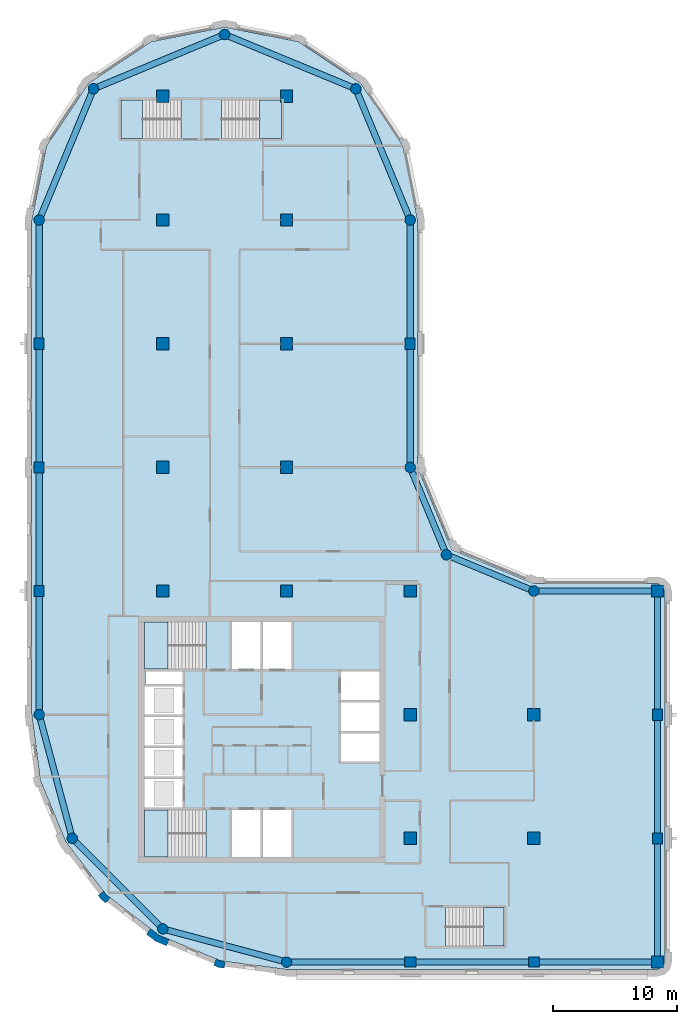
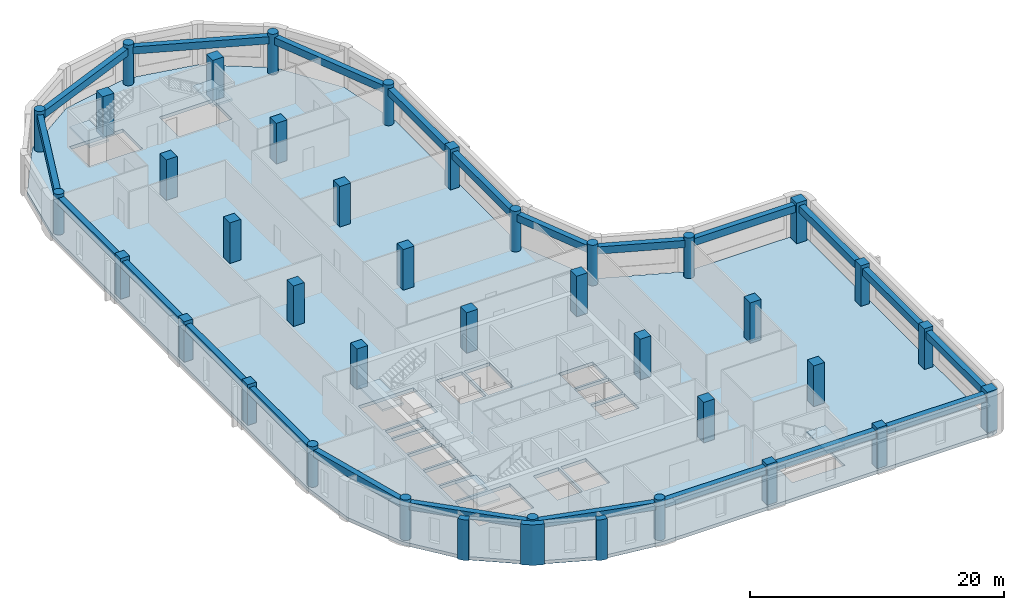
# One storey, part 1 of 9: 37 columns, 22 beams, 6 slabs, 3 walls, 5 elements without a shape of their own.
"""IFC4 building model written with IfcOpenShell, lengths in metres."""

from ifc_helpers import new_model, si_unit, direction, frame, origin, origin_2d, place, context, subcontext, project, spatial, polyline, rectangle, circle, outline, extrude, material, layer, layer_set, material_profile, profile_set, type_object, element, aggregate, save


model = new_model("IFC4")

# Units and contexts
model_context = context("Model", 3, precision=1e-05, world=origin(), true_north=direction((0.0, 1.0)))
body_context = subcontext(model_context, "Body", "Model", "MODEL_VIEW")
ifc_project = project(units=[si_unit("LENGTHUNIT", "METRE"), si_unit("AREAUNIT", "SQUARE_METRE"), si_unit("VOLUMEUNIT", "CUBIC_METRE"), si_unit("PLANEANGLEUNIT", "RADIAN"), si_unit("MASSUNIT", "GRAM", prefix="KILO")], contexts=[model_context])

# Site, building, storey
site_placement = place(None, origin())
site = spatial("IfcSite", under=ifc_project, at=site_placement, CompositionType="ELEMENT")
building_placement = place(site_placement, origin())
building = spatial("IfcBuilding", under=site, at=building_placement, Name="Qaws Garden Tower", CompositionType="ELEMENT")
storey_placement = place(building_placement, frame((0.0, 0.0, 263.10009765625)))
storey = spatial("IfcBuildingStorey", under=building, at=storey_placement, Name="L63", CompositionType="ELEMENT", Elevation=263.10009765625)

# Columns
ifc_material_1 = material(Name="Concrete C60", Category="concrete")
ifc_material_profile_1 = material_profile(ifc_material_1, rectangle(XDim=1.0, YDim=1.0, at=origin_2d()), Name="RC 1000x1000")
ifc_profile_set_1 = profile_set([ifc_material_profile_1], Name="Concrete C60")
column_type_1 = type_object("IfcColumnType", Name="Column RC 1000x1000 C60", PredefinedType="COLUMN", material=ifc_profile_set_1)
for number, where, z_axis, x_axis, name in (
    (1, (10.0, 30.0, 0.0), (0.0, 0.0, 1.0), (1.0, 0.0, 0.0), "Column L63-023"),
    (2, (10.0, 40.0, 0.0), (0.0, 0.0, 1.0), (1.0, 0.0, 0.0), "Column L63-024"),
    (3, (10.0, 50.0, 0.0), (0.0, 0.0, 1.0), (1.0, 0.0, 0.0), "Column L63-025"),
    (4, (10.0, 60.0, 0.0), (0.0, 0.0, 1.0), (1.0, 0.0, 0.0), "Column L63-026"),
    (5, (10.0, 70.0, 0.0), (0.0, 0.0, 1.0), (1.0, 0.0, 0.0), "Column L63-027"),
    (6, (20.0, 30.0, 0.0), (0.0, 0.0, 1.0), (1.0, 0.0, 0.0), "Column L63-028"),
    (7, (20.0, 40.0, 0.0), (0.0, 0.0, 1.0), (1.0, 0.0, 0.0), "Column L63-029"),
    (8, (20.0, 50.0, 0.0), (0.0, 0.0, 1.0), (1.0, 0.0, 0.0), "Column L63-030"),
    (9, (20.0, 60.0, 0.0), (0.0, 0.0, 1.0), (1.0, 0.0, 0.0), "Column L63-031"),
    (10, (20.0, 70.0, 0.0), (0.0, 0.0, 1.0), (1.0, 0.0, 0.0), "Column L63-032"),
    (11, (30.0, 10.0, 0.0), (0.0, 0.0, 1.0), (1.0, 0.0, 0.0), "Column L63-033"),
    (12, (30.0, 20.0, 0.0), (0.0, 0.0, 1.0), (1.0, 0.0, 0.0), "Column L63-034"),
    (13, (30.0, 30.0, 0.0), (0.0, 0.0, 1.0), (1.0, 0.0, 0.0), "Column L63-035"),
    (14, (40.0, 10.0, 0.0), (0.0, 0.0, 1.0), (1.0, 0.0, 0.0), "Column L63-036"),
    (15, (40.0, 20.0, 0.0), (0.0, 0.0, 1.0), (1.0, 0.0, 0.0), "Column L63-037"),
):
    element("IfcColumn", number, at=place(storey_placement, frame(where, z_axis=z_axis, x_axis=x_axis)), inside=storey, type_object=column_type_1, Name=name, PredefinedType="COLUMN", context=body_context, shape_type="SweptSolid", body=[
        extrude(rectangle(XDim=1.0, YDim=1.0, at=origin_2d()), origin(), (0.0, 0.0, 1.0), 3.89990234375),
    ])
ifc_material_2 = material(Name="Concrete C60", Category="concrete")
ifc_material_profile_2 = material_profile(ifc_material_2, rectangle(XDim=0.89990234375, YDim=0.800048828125, at=origin_2d()), Name="RC 900x800")
ifc_profile_set_2 = profile_set([ifc_material_profile_2], Name="Concrete C60")
column_type_2 = type_object("IfcColumnType", Name="Column RC 900x800 C60", PredefinedType="COLUMN", material=ifc_profile_set_2)
for number, where, z_axis, x_axis, name in (
    (16, (30.0, 0.0, 0.0), (0.0, 0.0, 1.0), (1.0, 0.0, 0.0), "Column L63-002"),
    (17, (40.0, 0.0, 0.0), (0.0, 0.0, 1.0), (1.0, 0.0, 0.0), "Column L63-003"),
    (18, (50.0, 10.0, 0.0), (0.0, 0.0, 1.0), (0.0, 1.0, 0.0), "Column L63-005"),
    (19, (50.0, 20.0, 0.0), (0.0, 0.0, 1.0), (0.0, 1.0, 0.0), "Column L63-006"),
    (20, (30.0, 50.0, 0.0), (0.0, 0.0, 1.0), (0.0, 1.0, 0.0), "Column L63-011"),
    (21, (0.0, 50.0, 0.0), (0.0, 0.0, 1.0), (0.0, 1.0, 0.0), "Column L63-017"),
    (22, (0.0, 40.0, 0.0), (0.0, 0.0, 1.0), (0.0, 1.0, 0.0), "Column L63-018"),
    (23, (0.0, 30.0, 0.0), (0.0, 0.0, 1.0), (0.0, 1.0, 0.0), "Column L63-019"),
):
    element("IfcColumn", number, at=place(storey_placement, frame(where, z_axis=z_axis, x_axis=x_axis)), inside=storey, type_object=column_type_2, Name=name, PredefinedType="COLUMN", context=body_context, shape_type="SweptSolid", body=[
        extrude(rectangle(XDim=0.89990234375, YDim=0.800048828125, at=origin_2d()), origin(), (0.0, 0.0, 1.0), 3.89990234375),
    ])
ifc_material_3 = material(Name="Concrete C60", Category="concrete")
ifc_material_profile_3 = material_profile(ifc_material_3, rectangle(XDim=0.949951171875, YDim=0.949951171875, at=origin_2d()), Name="RC 950x950")
ifc_profile_set_3 = profile_set([ifc_material_profile_3], Name="Concrete C60")
column_type_3 = type_object("IfcColumnType", Name="Column RC 950x950 C60", PredefinedType="COLUMN", material=ifc_profile_set_3)
for number, where, z_axis, x_axis, name in (
    (24, (50.0, 0.0, 0.0), (0.0, 0.0, 1.0), (1.0, 0.0, 0.0), "Column L63-004"),
    (25, (50.0, 30.0, 0.0), (0.0, 0.0, 1.0), (1.0, 0.0, 0.0), "Column L63-007"),
):
    element("IfcColumn", number, at=place(storey_placement, frame(where, z_axis=z_axis, x_axis=x_axis)), inside=storey, type_object=column_type_3, Name=name, PredefinedType="COLUMN", context=body_context, shape_type="SweptSolid", body=[
        extrude(rectangle(XDim=0.949951171875, YDim=0.949951171875, at=origin_2d()), origin(), (0.0, 0.0, 1.0), 3.89990234375),
    ])
ifc_material_4 = material(Name="Concrete C60", Category="concrete")
ifc_material_profile_4 = material_profile(ifc_material_4, circle(Radius=0.425048828125, at=origin_2d()), Name="RC D850")
ifc_profile_set_4 = profile_set([ifc_material_profile_4], Name="Concrete C60")
column_type_4 = type_object("IfcColumnType", Name="Column RC D850 C60", PredefinedType="COLUMN", material=ifc_profile_set_4)
for number, where, z_axis, x_axis, name in (
    (26, (20.0, 0.0, 0.0), (0.0, 0.0, 1.0), (1.0, 0.0, 0.0), "Column L63-001"),
    (27, (40.0, 30.0, 0.0), (0.0, 0.0, 1.0), (1.0, 0.0, 0.0), "Column L63-008"),
    (28, (32.928955078125, 32.928955078125, 0.0), (0.0, 0.0, 1.0), (1.0, 0.0, 0.0), "Column L63-009"),
    (29, (30.0, 40.0, 0.0), (0.0, 0.0, 1.0), (1.0, 0.0, 0.0), "Column L63-010"),
    (30, (30.0, 60.0, 0.0), (0.0, 0.0, 1.0), (1.0, 0.0, 0.0), "Column L63-012"),
    (31, (25.606689453125, 70.606689453125, 0.0), (0.0, 0.0, 1.0), (1.0, 0.0, 0.0), "Column L63-013"),
    (32, (15.0, 75.0, 0.0), (0.0, 0.0, 1.0), (1.0, 0.0, 0.0), "Column L63-014"),
    (33, (4.393310546875, 70.606689453125, 0.0), (0.0, 0.0, 1.0), (1.0, 0.0, 0.0), "Column L63-015"),
    (34, (0.0, 60.0, 0.0), (0.0, 0.0, 1.0), (1.0, 0.0, 0.0), "Column L63-016"),
    (35, (0.0, 20.0, 0.0), (0.0, 0.0, 1.0), (1.0, 0.0, 0.0), "Column L63-020"),
    (36, (2.679443359375, 10.0, 0.0), (0.0, 0.0, 1.0), (1.0, 0.0, 0.0), "Column L63-021"),
    (37, (10.0, 2.679443359375, 0.0), (0.0, 0.0, 1.0), (1.0, 0.0, 0.0), "Column L63-022"),
):
    element("IfcColumn", number, at=place(storey_placement, frame(where, z_axis=z_axis, x_axis=x_axis)), inside=storey, type_object=column_type_4, Name=name, PredefinedType="COLUMN", context=body_context, shape_type="SweptSolid", body=[
        extrude(circle(Radius=0.425048828125, at=origin_2d()), origin(), (0.0, 0.0, 1.0), 3.89990234375),
    ])

# Beams
ifc_material_5 = material(Name="Concrete C45", Category="concrete")
ifc_material_profile_5 = material_profile(ifc_material_5, rectangle(XDim=0.5, YDim=0.699951171875, at=origin_2d()), Name="RC 500x700")
ifc_profile_set_5 = profile_set([ifc_material_profile_5], Name="Concrete C45")
beam_type = type_object("IfcBeamType", Name="Spandrel beam RC 500x700 C45", PredefinedType="SPANDREL", material=ifc_profile_set_5)
for number, where, z_axis, x_axis, name in (
    (38, (20.0, 0.0, 3.22998046875), (1.0, 0.0, 0.0), (0.0, 1.0, 0.0), "Spandrel beam L63-001"),
    (39, (30.0, 0.0, 3.22998046875), (1.0, 0.0, 0.0), (0.0, 1.0, 0.0), "Spandrel beam L63-002"),
    (40, (40.0, 0.0, 3.22998046875), (1.0, 0.0, 0.0), (0.0, 1.0, 0.0), "Spandrel beam L63-003"),
    (41, (50.0, 0.0, 3.22998046875), (0.0, 1.0, 0.0), (-1.0, 0.0, 0.0), "Spandrel beam L63-004"),
    (42, (50.0, 10.0, 3.22998046875), (0.0, 1.0, 0.0), (-1.0, 0.0, 0.0), "Spandrel beam L63-005"),
    (43, (50.0, 20.0, 3.22998046875), (0.0, 1.0, 0.0), (-1.0, 0.0, 0.0), "Spandrel beam L63-006"),
    (44, (50.0, 30.0, 3.22998046875), (-1.0, 0.0, 0.0), (0.0, -1.0, 0.0), "Spandrel beam L63-007"),
):
    element("IfcBeam", number, at=place(storey_placement, frame(where, z_axis=z_axis, x_axis=x_axis)), inside=storey, type_object=beam_type, Name=name, PredefinedType="SPANDREL", context=body_context, shape_type="SweptSolid", body=[
        extrude(rectangle(XDim=0.5, YDim=0.699951171875, at=origin_2d()), origin(), (0.0, 0.0, 1.0), 10.0),
    ])
for number, where, z_axis, x_axis, name in (
    (45, (40.0, 30.0, 3.22998046875), (-0.923878037141, 0.382687042488, 0.0), (-0.382687042488, -0.923878037141, 0.0), "Spandrel beam L63-008"),
    (46, (32.928955078125, 32.928955078125, 3.22998046875), (-0.382687042488, 0.923878037141, 0.0), (-0.923878037141, -0.382687042488, 0.0), "Spandrel beam L63-009"),
):
    element("IfcBeam", number, at=place(storey_placement, frame(where, z_axis=z_axis, x_axis=x_axis)), inside=storey, type_object=beam_type, Name=name, PredefinedType="SPANDREL", context=body_context, shape_type="SweptSolid", body=[
        extrude(rectangle(XDim=0.5, YDim=0.699951171875, at=origin_2d()), origin(), (0.0, 0.0, 1.0), 7.653564453125),
    ])
for number, where, z_axis, x_axis, name in (
    (47, (30.0, 40.0, 3.22998046875), (0.0, 1.0, 0.0), (-1.0, 0.0, 0.0), "Spandrel beam L63-010"),
    (48, (30.0, 50.0, 3.22998046875), (0.0, 1.0, 0.0), (-1.0, 0.0, 0.0), "Spandrel beam L63-011"),
):
    element("IfcBeam", number, at=place(storey_placement, frame(where, z_axis=z_axis, x_axis=x_axis)), inside=storey, type_object=beam_type, Name=name, PredefinedType="SPANDREL", context=body_context, shape_type="SweptSolid", body=[
        extrude(rectangle(XDim=0.5, YDim=0.699951171875, at=origin_2d()), origin(), (0.0, 0.0, 1.0), 10.0),
    ])
for number, where, z_axis, x_axis, name in (
    (49, (30.0, 60.0, 3.22998046875), (-0.382674207535, 0.923883353507, 0.0), (-0.923883353507, -0.382674207535, 0.0), "Spandrel beam L63-012"),
    (50, (25.606689453125, 70.606689453125, 3.22998046875), (-0.923883353507, 0.382674207535, 0.0), (-0.382674207535, -0.923883353507, 0.0), "Spandrel beam L63-013"),
    (51, (15.0, 75.0, 3.22998046875), (-0.923883353507, -0.382674207535, 0.0), (0.382674207535, -0.923883353507, 0.0), "Spandrel beam L63-014"),
    (52, (4.393310546875, 70.606689453125, 3.22998046875), (-0.382674207535, -0.923883353507, 0.0), (0.923883353507, -0.382674207535, 0.0), "Spandrel beam L63-015"),
):
    element("IfcBeam", number, at=place(storey_placement, frame(where, z_axis=z_axis, x_axis=x_axis)), inside=storey, type_object=beam_type, Name=name, PredefinedType="SPANDREL", context=body_context, shape_type="SweptSolid", body=[
        extrude(rectangle(XDim=0.5, YDim=0.699951171875, at=origin_2d()), origin(), (0.0, 0.0, 1.0), 11.48046875),
    ])
for number, where, z_axis, x_axis, name in (
    (53, (0.0, 60.0, 3.22998046875), (0.0, -1.0, 0.0), (1.0, 0.0, 0.0), "Spandrel beam L63-016"),
    (54, (0.0, 50.0, 3.22998046875), (0.0, -1.0, 0.0), (1.0, 0.0, 0.0), "Spandrel beam L63-017"),
    (55, (0.0, 40.0, 3.22998046875), (0.0, -1.0, 0.0), (1.0, 0.0, 0.0), "Spandrel beam L63-018"),
    (56, (0.0, 30.0, 3.22998046875), (0.0, -1.0, 0.0), (1.0, 0.0, 0.0), "Spandrel beam L63-019"),
):
    element("IfcBeam", number, at=place(storey_placement, frame(where, z_axis=z_axis, x_axis=x_axis)), inside=storey, type_object=beam_type, Name=name, PredefinedType="SPANDREL", context=body_context, shape_type="SweptSolid", body=[
        extrude(rectangle(XDim=0.5, YDim=0.699951171875, at=origin_2d()), origin(), (0.0, 0.0, 1.0), 10.0),
    ])
for number, where, z_axis, x_axis, name in (
    (57, (0.0, 20.0, 3.22998046875), (0.25881466832, -0.965926999034, 0.0), (0.965926999034, 0.25881466832, 0.0), "Spandrel beam L63-020"),
    (58, (2.679443359375, 10.0, 3.22998046875), (0.707106781187, -0.707106781187, 0.0), (0.707106781187, 0.707106781187, 0.0), "Spandrel beam L63-021"),
    (59, (10.0, 2.679443359375, 3.22998046875), (0.965926999034, -0.25881466832, 0.0), (0.25881466832, 0.965926999034, 0.0), "Spandrel beam L63-022"),
):
    element("IfcBeam", number, at=place(storey_placement, frame(where, z_axis=z_axis, x_axis=x_axis)), inside=storey, type_object=beam_type, Name=name, PredefinedType="SPANDREL", context=body_context, shape_type="SweptSolid", body=[
        extrude(rectangle(XDim=0.5, YDim=0.699951171875, at=origin_2d()), origin(), (0.0, 0.0, 1.0), 10.352783203125),
    ])

# Slab
ifc_material_6 = material(Name="Concrete C40", Category="concrete")
ifc_layer_1 = layer(ifc_material_6, 0.320068359375)
ifc_layer_set_1 = layer_set([ifc_layer_1], Name="Concrete C40")
slab_type_1 = type_object("IfcSlabType", Name="Floor slab 320 C40", PredefinedType="FLOOR", material=ifc_layer_set_1)
slab_1_placement = place(storey_placement, frame((0.0, 0.0, -0.320068359375)))
element("IfcSlab", 60, at=slab_1_placement, inside=storey, type_object=slab_type_1, Name="Floor slab L63", PredefinedType="FLOOR", context=body_context, shape_type="SweptSolid", body=[
    extrude(outline(polyline([(0.101806640625, 14.668212890625), (-0.60009765625, 20.0), (-0.60009765625, 30.60009765625), (-0.60009765625, 60.0), (-0.60009765625, 60.0), (0.58740234375, 65.969970703125), (3.968994140625, 71.031005859375), (9.030029296875, 74.41259765625), (15.0, 75.60009765625), (20.969970703125, 74.41259765625), (26.031005859375, 71.031005859375), (29.41259765625, 65.969970703125), (30.60009765625, 60.0), (30.60009765625, 40.0), (33.353271484375, 33.353271484375), (40.0, 30.60009765625), (50.0, 30.60009765625), (50.42431640625, 30.42431640625), (50.60009765625, 30.0), (50.60009765625, 0.0), (50.42431640625, -0.42431640625), (50.0, -0.60009765625), (30.60009765625, -0.60009765625), (20.0, -0.60009765625), (14.668212890625, 0.101806640625), (9.699951171875, 2.159912109375), (5.43359375, 5.43359375), (2.159912109375, 9.699951171875), (0.101806640625, 14.668212890625)]), holes=[polyline([(13.49951171875, 12.300048828125), (8.5, 12.300048828125), (8.5, 8.5), (13.49951171875, 8.5), (13.49951171875, 12.300048828125)]), polyline([(17.89990234375, 12.300048828125), (15.60009765625, 12.300048828125), (15.60009765625, 8.5), (17.89990234375, 8.5), (17.89990234375, 12.300048828125)]), polyline([(11.60009765625, 14.800048828125), (8.5, 14.800048828125), (8.5, 12.5), (11.60009765625, 12.5), (11.60009765625, 14.800048828125)]), polyline([(11.60009765625, 17.300048828125), (8.5, 17.300048828125), (8.5, 15.0), (11.60009765625, 15.0), (11.60009765625, 17.300048828125)]), polyline([(11.60009765625, 19.800048828125), (8.5, 19.800048828125), (8.5, 17.5), (11.60009765625, 17.5), (11.60009765625, 19.800048828125)]), polyline([(11.60009765625, 22.300048828125), (8.5, 22.300048828125), (8.5, 20.0), (11.60009765625, 20.0), (11.60009765625, 22.300048828125)]), polyline([(11.60009765625, 23.5), (8.60009765625, 23.5), (8.60009765625, 22.5), (11.60009765625, 22.5), (11.60009765625, 23.5)]), polyline([(13.49951171875, 27.5), (8.5, 27.5), (8.5, 23.699951171875), (13.49951171875, 23.699951171875), (13.49951171875, 27.5)]), polyline([(11.449462890625, 69.699951171875), (6.60009765625, 69.699951171875), (6.60009765625, 66.60009765625), (11.449462890625, 66.60009765625), (11.449462890625, 69.699951171875)]), polyline([(37.60009765625, 4.39990234375), (32.8505859375, 4.39990234375), (32.8505859375, 1.300048828125), (37.60009765625, 1.300048828125), (37.60009765625, 4.39990234375)]), polyline([(20.39990234375, 12.300048828125), (18.10009765625, 12.300048828125), (18.10009765625, 8.5), (20.39990234375, 8.5), (20.39990234375, 12.300048828125)]), polyline([(27.5, 18.5), (24.39990234375, 18.5), (24.39990234375, 16.199951171875), (27.5, 16.199951171875), (27.5, 18.5)]), polyline([(27.5, 21.0), (24.39990234375, 21.0), (24.39990234375, 18.699951171875), (27.5, 18.699951171875), (27.5, 21.0)]), polyline([(27.5, 23.5), (24.39990234375, 23.5), (24.39990234375, 21.199951171875), (27.5, 21.199951171875), (27.5, 23.5)]), polyline([(17.89990234375, 27.5), (15.60009765625, 27.5), (15.60009765625, 23.699951171875), (17.89990234375, 23.699951171875), (17.89990234375, 27.5)]), polyline([(20.39990234375, 23.699951171875), (20.39990234375, 27.5), (18.10009765625, 27.5), (18.10009765625, 23.699951171875), (20.39990234375, 23.699951171875)]), polyline([(19.60009765625, 66.60009765625), (19.60009765625, 69.699951171875), (14.75048828125, 69.699951171875), (14.75048828125, 66.60009765625), (19.60009765625, 66.60009765625)])]), origin(), (0.0, 0.0, 1.0), 0.320068359375),
])

# Stair, slab
ifc_material_7 = material(Name="Concrete C40", Category="concrete")
stair_type_1 = type_object("IfcStairType", Name="Exit stair 1500", PredefinedType="HALF_TURN_STAIR", material=ifc_material_7)
placement_1 = place(storey_placement, origin())
stair_1 = element("IfcStair", 61, at=placement_1, inside=storey, type_object=stair_type_1, Name="Stair 1", PredefinedType="HALF_TURN_STAIR")
ifc_material_8 = material(Name="Concrete C40", Category="concrete")
ifc_layer_2 = layer(ifc_material_8, 0.199951171875)
ifc_layer_set_2 = layer_set([ifc_layer_2], Name="Concrete C40")
slab_type_2 = type_object("IfcSlabType", Name="Stair landing 200", PredefinedType="LANDING", material=ifc_layer_set_2)
placement_2 = place(storey_placement, frame((0.0, 0.0, 1.75)))
slab_2 = element("IfcSlab", 62, at=placement_2, type_object=slab_type_2, Name="ST1 landing 1", PredefinedType="LANDING", context=body_context, shape_type="SweptSolid", body=[
    extrude(outline(polyline([(8.5, 8.5), (10.419921875, 8.5), (10.419921875, 12.300048828125), (8.5, 12.300048828125), (8.5, 8.5)])), origin(), (0.0, 0.0, 1.0), 0.199951171875),
])
aggregate(stair_1, [slab_2])

stair_2 = element("IfcStair", 63, at=placement_1, inside=storey, type_object=stair_type_1, Name="Stair 4", PredefinedType="HALF_TURN_STAIR")
slab_3 = element("IfcSlab", 64, at=placement_2, type_object=slab_type_2, Name="ST4 landing 1", PredefinedType="LANDING", context=body_context, shape_type="SweptSolid", body=[
    extrude(outline(polyline([(8.5, 23.699951171875), (10.419921875, 23.699951171875), (10.419921875, 27.5), (8.5, 27.5), (8.5, 23.699951171875)])), origin(), (0.0, 0.0, 1.0), 0.199951171875),
])
aggregate(stair_2, [slab_3])

ifc_material_9 = material(Name="Concrete C40", Category="concrete")
stair_type_2 = type_object("IfcStairType", Name="Exit stair 1350", PredefinedType="HALF_TURN_STAIR", material=ifc_material_9)
stair_3 = element("IfcStair", 65, at=placement_1, inside=storey, type_object=stair_type_2, Name="Stair 5", PredefinedType="HALF_TURN_STAIR")
slab_4 = element("IfcSlab", 66, at=placement_2, type_object=slab_type_2, Name="ST5 landing 1", PredefinedType="LANDING", context=body_context, shape_type="SweptSolid", body=[
    extrude(outline(polyline([(35.929931640625, 1.300048828125), (37.60009765625, 1.300048828125), (37.60009765625, 4.39990234375), (35.929931640625, 4.39990234375), (35.929931640625, 1.300048828125)])), origin(), (0.0, 0.0, 1.0), 0.199951171875),
])
aggregate(stair_3, [slab_4])

stair_4 = element("IfcStair", 67, at=placement_1, inside=storey, type_object=stair_type_2, Name="Stair 6", PredefinedType="HALF_TURN_STAIR")
slab_5 = element("IfcSlab", 68, at=placement_2, type_object=slab_type_2, Name="ST6 landing 1", PredefinedType="LANDING", context=body_context, shape_type="SweptSolid", body=[
    extrude(outline(polyline([(6.60009765625, 66.60009765625), (8.3701171875, 66.60009765625), (8.3701171875, 69.699951171875), (6.60009765625, 69.699951171875), (6.60009765625, 66.60009765625)])), origin(), (0.0, 0.0, 1.0), 0.199951171875),
])
aggregate(stair_4, [slab_5])

stair_5 = element("IfcStair", 69, at=placement_1, inside=storey, type_object=stair_type_2, Name="Stair 7", PredefinedType="HALF_TURN_STAIR")
slab_6 = element("IfcSlab", 70, at=placement_2, type_object=slab_type_2, Name="ST7 landing 1", PredefinedType="LANDING", context=body_context, shape_type="SweptSolid", body=[
    extrude(outline(polyline([(17.830078125, 66.60009765625), (19.60009765625, 66.60009765625), (19.60009765625, 69.699951171875), (17.830078125, 69.699951171875), (17.830078125, 66.60009765625)])), origin(), (0.0, 0.0, 1.0), 0.199951171875),
])
aggregate(stair_5, [slab_6])

# Walls
ifc_material_10 = material(Name="Clay facing brick masonry", Category="masonry")
ifc_layer_3 = layer(ifc_material_10, 0.550048828125)
ifc_layer_set_3 = layer_set([ifc_layer_3], Name="Clay facing brick masonry")
wall_type_1 = type_object("IfcWallType", Name="Brick kink pier 550 x 600", PredefinedType="SOLIDWALL", material=ifc_layer_set_3)
element("IfcWall", 71, at=placement_1, inside=storey, type_object=wall_type_1, Name="E-L63-pier-26", PredefinedType="SOLIDWALL", context=body_context, shape_type="SweptSolid", body=[
    extrude(outline(polyline([(4.8818359375, 5.487060546875), (4.762939453125, 5.395751953125), (5.03759765625, 5.03759765625), (5.395751953125, 4.762939453125), (5.487060546875, 4.8818359375), (5.730712890625, 5.19921875), (5.429931640625, 5.429931640625), (5.19921875, 5.730712890625), (4.8818359375, 5.487060546875)])), origin(), (0.0, 0.0, 1.0), 3.89990234375),
])
element("IfcWall", 72, at=placement_1, inside=storey, type_object=wall_type_1, Name="E-L63-pier-28", PredefinedType="SOLIDWALL", context=body_context, shape_type="SweptSolid", body=[
    extrude(outline(polyline([(14.163818359375, -0.127685546875), (14.1064453125, -0.26611328125), (14.5234375, -0.43896484375), (14.970947265625, -0.497802734375), (14.990478515625, -0.34912109375), (15.042724609375, 0.04736328125), (14.6669921875, 0.096923828125), (14.31689453125, 0.241943359375), (14.163818359375, -0.127685546875)])), origin(), (0.0, 0.0, 1.0), 3.89990234375),
])
ifc_material_11 = material(Name="Clay facing brick masonry", Category="masonry")
ifc_layer_4 = layer(ifc_material_11, 0.550048828125)
ifc_layer_set_4 = layer_set([ifc_layer_4], Name="Clay facing brick masonry")
wall_type_2 = type_object("IfcWallType", Name="Brick pier 550 x 1600", PredefinedType="SOLIDWALL", material=ifc_layer_set_4)
element("IfcWall", 73, at=placement_1, inside=storey, type_object=wall_type_2, Name="E-L63-pier-27", PredefinedType="SOLIDWALL", context=body_context, shape_type="SweptSolid", body=[
    extrude(outline(polyline([(8.756591796875, 2.373046875), (8.665283203125, 2.254150390625), (9.419921875, 1.675048828125), (10.299072265625, 1.310791015625), (10.3564453125, 1.449462890625), (10.509521484375, 1.819091796875), (9.697509765625, 2.1552734375), (9.0, 2.6904296875), (8.756591796875, 2.373046875)])), origin(), (0.0, 0.0, 1.0), 3.89990234375),
])

save(model, "model.ifc")
